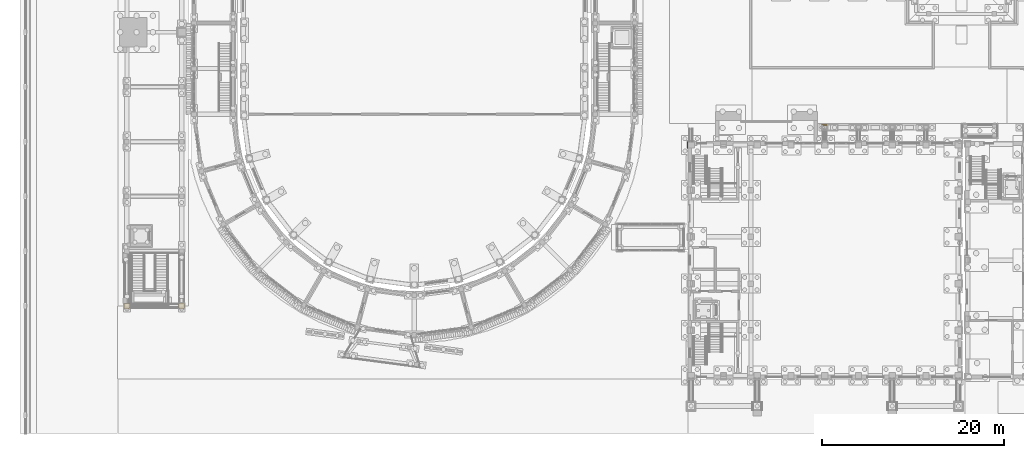
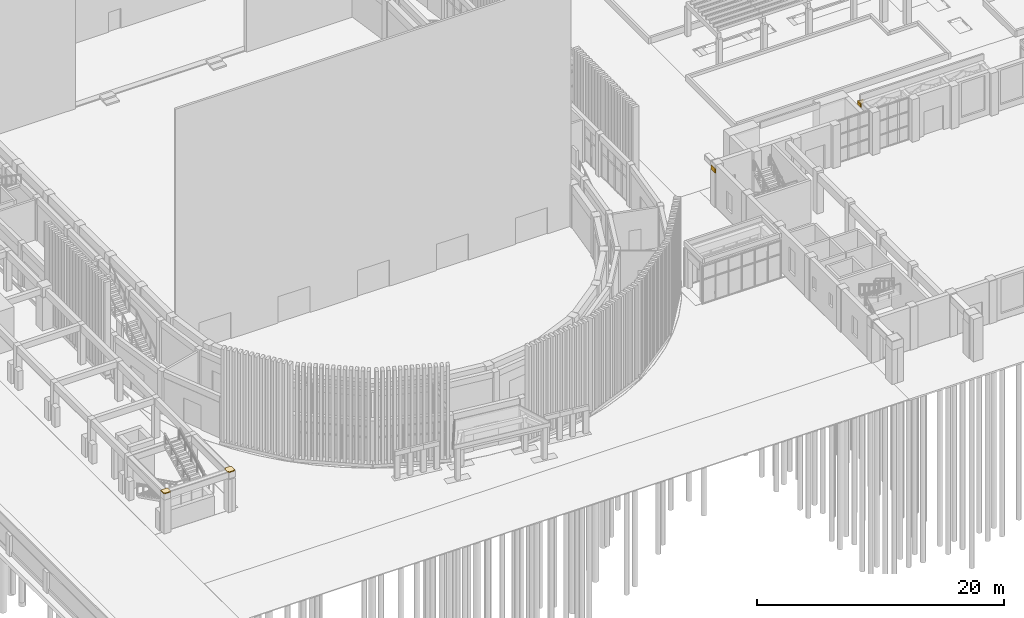
# One storey, part 107 of 112: 4 coverings.
"""IFC4 building model written with IfcOpenShell, lengths in metres."""

from ifc_helpers import new_model, si_unit, direction, frame, origin, place, context, subcontext, project, spatial, polyline, outline, extrude, material, layer, layer_set, type_object, element, save


model = new_model("IFC4")

# Units and contexts
model_context = context("Model", 3, precision=1e-05, world=origin(), true_north=direction((0.0, 1.0)))
body_context = subcontext(model_context, "Body", "Model", "MODEL_VIEW")
ifc_project = project(units=[si_unit("LENGTHUNIT", "METRE"), si_unit("AREAUNIT", "SQUARE_METRE"), si_unit("VOLUMEUNIT", "CUBIC_METRE"), si_unit("PLANEANGLEUNIT", "RADIAN"), si_unit("MASSUNIT", "GRAM", prefix="KILO")], contexts=[model_context])

# Site, building, storey
site_placement = place(None, origin())
site = spatial("IfcSite", under=ifc_project, at=site_placement, CompositionType="ELEMENT")
building_placement = place(site_placement, origin())
building = spatial("IfcBuilding", under=site, at=building_placement, Name="Wasatch Bagh Community Centre", CompositionType="ELEMENT")
storey_placement = place(building_placement, origin())
storey = spatial("IfcBuildingStorey", under=building, at=storey_placement, Name="L00", CompositionType="ELEMENT", Elevation=0.0)

# Coverings
ifc_material = material(Name="Cast stone cladding", Category="masonry")
ifc_layer = layer(ifc_material, 0.080078125)
ifc_layer_set = layer_set([ifc_layer], Name="Cast stone cladding")
covering_type = type_object("IfcCoveringType", Name="CL-C1 column facing", PredefinedType="CLADDING", material=ifc_layer_set)
covering_1_placement = place(storey_placement, frame((0.0, 0.0, 3.516357421875)))
element("IfcCovering", 1, at=covering_1_placement, inside=storey, type_object=covering_type, Name="Column facing", PredefinedType="CLADDING", context=body_context, shape_type="SweptSolid", body=[
    extrude(outline(polyline([(80.77490234375, 33.324951171875), (80.695068359375, 33.324951171875), (80.695068359375, 33.85498046875), (80.77490234375, 33.85498046875), (81.22509765625, 33.85498046875), (81.22509765625, 33.77490234375), (80.77490234375, 33.77490234375), (80.77490234375, 33.324951171875)])), origin(), (0.0, 0.0, 1.0), 0.333740234375),
])
covering_2_placement = place(storey_placement, frame((0.0, 0.0, 3.949951171875)))
element("IfcCovering", 2, at=covering_2_placement, inside=storey, type_object=covering_type, Name="Column facing", PredefinedType="CLADDING", context=body_context, shape_type="SweptSolid", body=[
    extrude(outline(polyline([(4.75, 13.669921875), (4.25, 13.669921875), (4.25, 13.75), (4.169921875, 13.75), (4.169921875, 14.25), (4.830078125, 14.25), (4.830078125, 13.75), (4.75, 13.75), (4.75, 13.669921875)])), origin(), (0.0, 0.0, 1.0), 0.080078125),
])
covering_3_placement = place(storey_placement, frame((0.0, 0.0, 3.949951171875)))
element("IfcCovering", 3, at=covering_3_placement, inside=storey, type_object=covering_type, Name="Column facing", PredefinedType="CLADDING", context=body_context, shape_type="SweptSolid", body=[
    extrude(outline(polyline([(10.75, 13.669921875), (10.25, 13.669921875), (10.25, 13.75), (10.169921875, 13.75), (10.169921875, 14.25), (10.25, 14.25), (10.25, 14.330078125), (10.75, 14.330078125), (10.75, 14.25), (10.830078125, 14.25), (10.830078125, 13.75), (10.75, 13.75), (10.75, 13.669921875)])), origin(), (0.0, 0.0, 1.0), 0.080078125),
])
covering_4_placement = place(storey_placement, frame((0.0, 0.0, 3.39990234375)))
element("IfcCovering", 4, at=covering_4_placement, inside=storey, type_object=covering_type, Name="Column facing", PredefinedType="CLADDING", context=body_context, shape_type="SweptSolid", body=[
    extrude(outline(polyline([(66.0, 32.0), (66.0, 31.300048828125), (65.919921875, 31.300048828125), (65.919921875, 32.0), (66.0, 32.0)])), origin(), (0.0, 0.0, 1.0), 0.4501953125),
])

save(model, "model.ifc")
